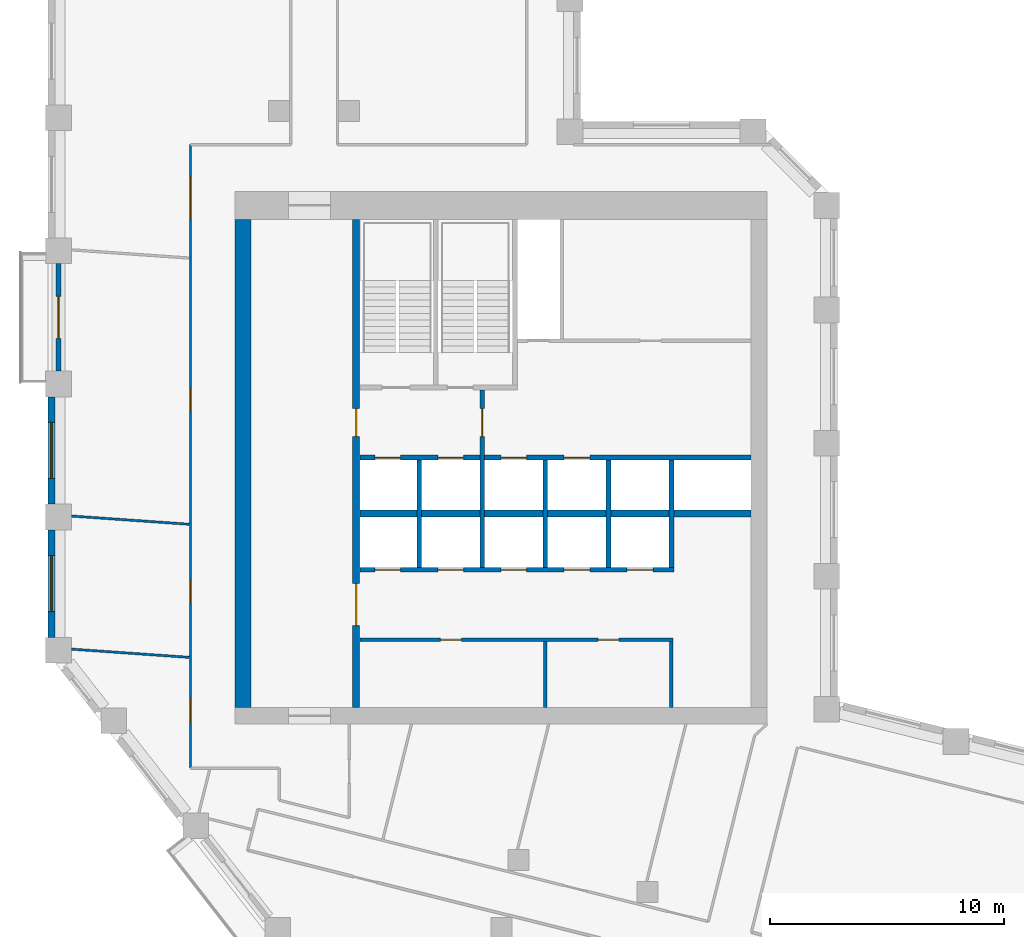
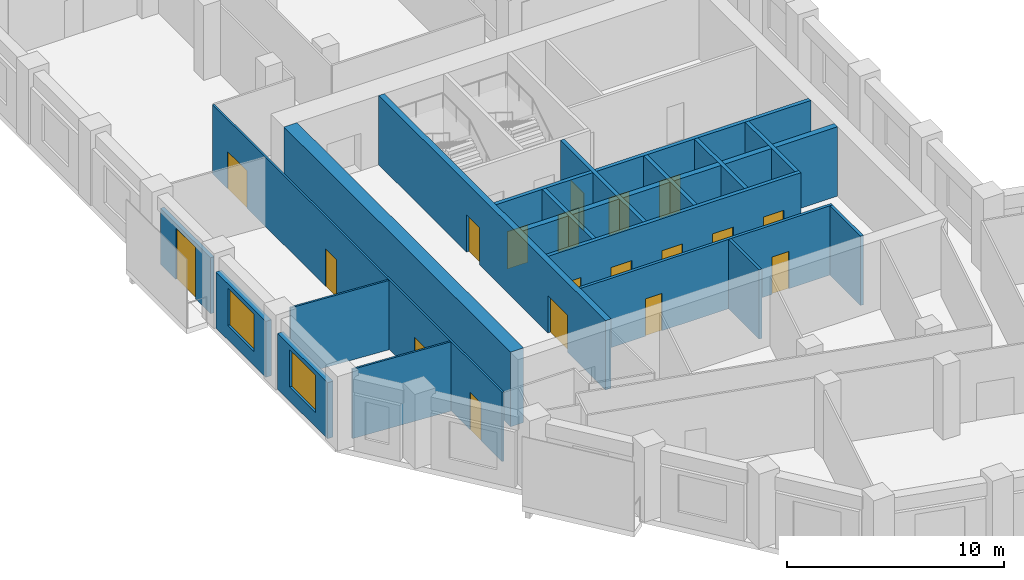
# One storey, part 5 of 10: 19 doors, 19 walls, 2 windows, 21 openings.
"""IFC4 building model written with IfcOpenShell, lengths in metres."""

from ifc_helpers import new_model, si_unit, direction, frame, frame_2d, origin, place, context, subcontext, project, spatial, rectangle, extrude, material, layer, layer_set, type_object, element, fill, save


model = new_model("IFC4")

# Units and contexts
model_context = context("Model", 3, precision=1e-05, world=origin(), true_north=direction((0.0, 1.0)))
body_context = subcontext(model_context, "Body", "Model", "MODEL_VIEW")
ifc_project = project(units=[si_unit("LENGTHUNIT", "METRE"), si_unit("AREAUNIT", "SQUARE_METRE"), si_unit("VOLUMEUNIT", "CUBIC_METRE"), si_unit("PLANEANGLEUNIT", "RADIAN"), si_unit("MASSUNIT", "GRAM", prefix="KILO")], contexts=[model_context])

# Site, building, storey
site_placement = place(None, origin())
site = spatial("IfcSite", under=ifc_project, at=site_placement, CompositionType="ELEMENT")
building_placement = place(site_placement, origin())
building = spatial("IfcBuilding", under=site, at=building_placement, Name="Meshkara Civic Tower", CompositionType="ELEMENT")
storey_placement = place(building_placement, frame((0.0, 0.0, 271.800048828125)))
storey = spatial("IfcBuildingStorey", under=building, at=storey_placement, Name="L62", CompositionType="ELEMENT", Elevation=271.800048828125)

# Wall, openings, doors
ifc_material_1 = material(Name="Blockwork", Category="masonry")
ifc_layer_1 = layer(ifc_material_1, 0.14990234375)
ifc_layer_set_1 = layer_set([ifc_layer_1], Name="Core partition 150")
wall_type_1 = type_object("IfcWallType", Name="Core partition 150", PredefinedType="PARTITIONING", material=ifc_layer_set_1)
wall_1_placement = place(storey_placement, frame((13.35009765625, 17.699951171875, 0.0), z_axis=(0.0, 0.0, 1.0), x_axis=(1.0, 0.0, 0.0)))
wall_1 = element("IfcWall", 1, at=wall_1_placement, inside=storey, type_object=wall_type_1, Name="L62-C005", PredefinedType="PARTITIONING", context=body_context, shape_type="SweptSolid", body=[
    extrude(rectangle(XDim=13.4248046875, YDim=0.14990234375, at=frame_2d((6.71240234375, 0.0))), origin(), (0.0, 0.0, 1.0), 3.89990234375),
])
opening_1_placement = place(wall_1_placement, frame((3.449951171875, 0.0, 0.0)))
opening_1 = element("IfcOpeningElement", 2, at=opening_1_placement, cuts=wall_1, Name="Opening L62-K010", PredefinedType="OPENING", context=body_context, shape_type="SweptSolid", body=[
    extrude(rectangle(XDim=0.89990234375, YDim=2.10009765625, at=frame_2d((0.449951171875, 1.050048828125))), frame((0.0, 0.0849609375, 0.0), z_axis=(0.0, -1.0, 0.0), x_axis=(1.0, 0.0, 0.0)), (0.0, 0.0, 1.0), 0.169921875),
])
opening_2_placement = place(wall_1_placement, frame((10.199951171875, 0.0, 0.0)))
opening_2 = element("IfcOpeningElement", 3, at=opening_2_placement, cuts=wall_1, Name="Opening L62-K011", PredefinedType="OPENING", context=body_context, shape_type="SweptSolid", body=[
    extrude(rectangle(XDim=0.89990234375, YDim=2.10009765625, at=frame_2d((0.449951171875, 1.050048828125))), frame((0.0, 0.0849609375, 0.0), z_axis=(0.0, -1.0, 0.0), x_axis=(1.0, 0.0, 0.0)), (0.0, 0.0, 1.0), 0.169921875),
])
ifc_material_2 = material(Name="Timber door leaf in steel frame", Category="steel")
door_type_1 = type_object("IfcDoorType", Name="Core room door 900", OperationType="SINGLE_SWING_LEFT", PredefinedType="DOOR", material=ifc_material_2)
door_1_placement = place(opening_1_placement, origin())
door_1 = element("IfcDoor", 4, at=door_1_placement, inside=storey, type_object=door_type_1, Name="L62-K010", OperationType="SINGLE_SWING_LEFT", OverallHeight=2.10009765625, OverallWidth=0.89990234375, PredefinedType="DOOR", context=body_context, shape_type="SweptSolid", body=[
    extrude(rectangle(XDim=0.89990234375, YDim=2.10009765625, at=frame_2d((0.449951171875, 1.050048828125))), frame((0.0, 0.02490234375, 0.0), z_axis=(0.0, -1.0, 0.0), x_axis=(1.0, 0.0, 0.0)), (0.0, 0.0, 1.0), 0.050048828125),
])
fill(opening_1, door_1)
door_2_placement = place(opening_2_placement, origin())
door_2 = element("IfcDoor", 5, at=door_2_placement, inside=storey, type_object=door_type_1, Name="L62-K011", OperationType="SINGLE_SWING_LEFT", OverallHeight=2.10009765625, OverallWidth=0.89990234375, PredefinedType="DOOR", context=body_context, shape_type="SweptSolid", body=[
    extrude(rectangle(XDim=0.89990234375, YDim=2.10009765625, at=frame_2d((0.449951171875, 1.050048828125))), frame((0.0, 0.02490234375, 0.0), z_axis=(0.0, -1.0, 0.0), x_axis=(1.0, 0.0, 0.0)), (0.0, 0.0, 1.0), 0.050048828125),
])
fill(opening_2, door_2)

# Walls
for number, where, z_axis, x_axis, name in (
    (6, (21.300048828125, 14.800048828125, 0.0), (0.0, 0.0, 1.0), (0.0, 1.0, 0.0), "L62-C016"),
    (7, (26.699951171875, 14.800048828125, 0.0), (0.0, 0.0, 1.0), (0.0, 1.0, 0.0), "L62-C020"),
):
    element("IfcWall", number, at=place(storey_placement, frame(where, z_axis=z_axis, x_axis=x_axis)), inside=storey, type_object=wall_type_1, Name=name, PredefinedType="PARTITIONING", context=body_context, shape_type="SweptSolid", body=[
        extrude(rectangle(XDim=2.824951171875, YDim=0.14990234375, at=frame_2d((1.41259765625, 0.0))), origin(), (0.0, 0.0, 1.0), 3.89990234375),
    ])
ifc_material_3 = material(Name="Concrete C60", Category="concrete")
ifc_layer_2 = layer(ifc_material_3, 0.699951171875)
ifc_layer_set_2 = layer_set([ifc_layer_2], Name="Core ring wall 700 C60")
wall_type_2 = type_object("IfcWallType", Name="Core ring wall 700 C60", PredefinedType="SHEAR", material=ifc_layer_set_2)
wall_2_placement = place(storey_placement, frame((8.35009765625, 14.800048828125, -0.300048828125), z_axis=(0.0, 0.0, 1.0), x_axis=(0.0, 1.0, 0.0)))
element("IfcWall", 8, at=wall_2_placement, inside=storey, type_object=wall_type_2, Name="L62-C003", PredefinedType="SHEAR", context=body_context, shape_type="SweptSolid", body=[
    extrude(rectangle(XDim=20.89990234375, YDim=0.699951171875, at=frame_2d((10.449951171875, 0.0))), origin(), (0.0, 0.0, 1.0), 4.199951171875),
])
ifc_material_4 = material(Name="Concrete C60", Category="concrete")
ifc_layer_3 = layer(ifc_material_4, 0.300048828125)
ifc_layer_set_3 = layer_set([ifc_layer_3], Name="Core shear wall 300 C60")
wall_type_3 = type_object("IfcWallType", Name="Core shear wall 300 C60", PredefinedType="SHEAR", material=ifc_layer_set_3)
wall_3_placement = place(storey_placement, frame((13.35009765625, 23.10009765625, 0.0), z_axis=(0.0, 0.0, 1.0), x_axis=(1.0, 0.0, 0.0)))
element("IfcWall", 9, at=wall_3_placement, inside=storey, type_object=wall_type_3, Name="L62-C007", PredefinedType="SHEAR", context=body_context, shape_type="SweptSolid", body=[
    extrude(rectangle(XDim=16.75, YDim=0.300048828125, at=frame_2d((8.375, 0.0))), origin(), (0.0, 0.0, 1.0), 3.89990234375),
])

# Wall, openings, doors
wall_4_placement = place(storey_placement, frame((13.199951171875, 14.800048828125, 0.0), z_axis=(0.0, 0.0, 1.0), x_axis=(0.0, 1.0, 0.0)))
wall_4 = element("IfcWall", 10, at=wall_4_placement, inside=storey, type_object=wall_type_3, Name="L62-C011", PredefinedType="SHEAR", context=body_context, shape_type="SweptSolid", body=[
    extrude(rectangle(XDim=20.89990234375, YDim=0.300048828125, at=frame_2d((10.449951171875, 0.0))), origin(), (0.0, 0.0, 1.0), 3.89990234375),
])
opening_3_placement = place(wall_4_placement, frame((3.5, 0.0, 0.0)))
opening_3 = element("IfcOpeningElement", 11, at=opening_3_placement, cuts=wall_4, Name="Opening L62-K016", PredefinedType="OPENING", context=body_context, shape_type="SweptSolid", body=[
    extrude(rectangle(XDim=1.800048828125, YDim=2.10009765625, at=frame_2d((0.89990234375, 1.050048828125))), frame((0.0, 0.159912109375, 0.0), z_axis=(0.0, -1.0, 0.0), x_axis=(1.0, 0.0, 0.0)), (0.0, 0.0, 1.0), 0.320068359375),
])
opening_4_placement = place(wall_4_placement, frame((11.60009765625, 0.0, 0.0)))
opening_4 = element("IfcOpeningElement", 12, at=opening_4_placement, cuts=wall_4, Name="Opening L62-K017", PredefinedType="OPENING", context=body_context, shape_type="SweptSolid", body=[
    extrude(rectangle(XDim=1.199951171875, YDim=2.10009765625, at=frame_2d((0.60009765625, 1.050048828125))), frame((0.0, 0.159912109375, 0.0), z_axis=(0.0, -1.0, 0.0), x_axis=(1.0, 0.0, 0.0)), (0.0, 0.0, 1.0), 0.320068359375),
])
ifc_material_5 = material(Name="Fire-rated door leaf in steel frame", Category="steel")
door_type_2 = type_object("IfcDoorType", Name="Core double door 1800 EI 60", OperationType="DOUBLE_DOOR_SINGLE_SWING", PredefinedType="DOOR", material=ifc_material_5)
door_3_placement = place(opening_3_placement, origin())
door_3 = element("IfcDoor", 13, at=door_3_placement, inside=storey, type_object=door_type_2, Name="L62-K016", OperationType="DOUBLE_DOOR_SINGLE_SWING", OverallHeight=2.10009765625, OverallWidth=1.800048828125, PredefinedType="DOOR", context=body_context, shape_type="SweptSolid", body=[
    extrude(rectangle(XDim=1.800048828125, YDim=2.10009765625, at=frame_2d((0.89990234375, 1.050048828125))), frame((0.0, 0.02490234375, 0.0), z_axis=(0.0, -1.0, 0.0), x_axis=(1.0, 0.0, 0.0)), (0.0, 0.0, 1.0), 0.050048828125),
])
fill(opening_3, door_3)
ifc_material_6 = material(Name="Fire-rated door leaf in steel frame", Category="steel")
door_type_3 = type_object("IfcDoorType", Name="Fire-fighting lobby door 1200 EI 120", OperationType="SINGLE_SWING_LEFT", PredefinedType="DOOR", material=ifc_material_6)
door_4_placement = place(opening_4_placement, origin())
door_4 = element("IfcDoor", 14, at=door_4_placement, inside=storey, type_object=door_type_3, Name="L62-K017", OperationType="SINGLE_SWING_LEFT", OverallHeight=2.10009765625, OverallWidth=1.199951171875, PredefinedType="DOOR", context=body_context, shape_type="SweptSolid", body=[
    extrude(rectangle(XDim=1.199951171875, YDim=2.10009765625, at=frame_2d((0.60009765625, 1.050048828125))), frame((0.0, 0.02490234375, 0.0), z_axis=(0.0, -1.0, 0.0), x_axis=(1.0, 0.0, 0.0)), (0.0, 0.0, 1.0), 0.050048828125),
])
fill(opening_4, door_4)

ifc_material_7 = material(Name="Corridor wall 100")
ifc_layer_4 = layer(ifc_material_7, 0.10009765625)
ifc_layer_set_4 = layer_set([ifc_layer_4], Name="Corridor wall 100")
wall_type_4 = type_object("IfcWallType", Name="Corridor wall 100", PredefinedType="PARTITIONING", material=ifc_layer_set_4)
wall_5_placement = place(storey_placement, frame((6.10009765625, 38.89990234375, 0.0), z_axis=(0.0, 0.0, 1.0), x_axis=(0.0, -1.0, 0.0)))
wall_5 = element("IfcWall", 15, at=wall_5_placement, inside=storey, type_object=wall_type_4, Name="L62-W005", PredefinedType="PARTITIONING", context=body_context, shape_type="SweptSolid", body=[
    extrude(rectangle(XDim=26.699951171875, YDim=0.10009765625, at=frame_2d((13.35009765625, 0.0))), origin(), (0.0, 0.0, 1.0), 3.89990234375),
])
opening_5_placement = place(wall_5_placement, frame((23.736083984375, 0.0, 0.0)))
opening_5 = element("IfcOpeningElement", 16, at=opening_5_placement, cuts=wall_5, Name="Opening L62-D016", PredefinedType="OPENING", context=body_context, shape_type="SweptSolid", body=[
    extrude(rectangle(XDim=1.0, YDim=2.10009765625, at=frame_2d((0.5, 1.050048828125))), frame((0.0, 0.06005859375, 0.0), z_axis=(0.0, -1.0, 0.0), x_axis=(1.0, 0.0, 0.0)), (0.0, 0.0, 1.0), 0.1201171875),
])
opening_6_placement = place(wall_5_placement, frame((18.635986328125, 0.0, 0.0)))
opening_6 = element("IfcOpeningElement", 17, at=opening_6_placement, cuts=wall_5, Name="Opening L62-D018", PredefinedType="OPENING", context=body_context, shape_type="SweptSolid", body=[
    extrude(rectangle(XDim=1.0, YDim=2.10009765625, at=frame_2d((0.5, 1.050048828125))), frame((0.0, 0.06005859375, 0.0), z_axis=(0.0, -1.0, 0.0), x_axis=(1.0, 0.0, 0.0)), (0.0, 0.0, 1.0), 0.1201171875),
])
opening_7_placement = place(wall_5_placement, frame((10.43603515625, 0.0, 0.0)))
opening_7 = element("IfcOpeningElement", 18, at=opening_7_placement, cuts=wall_5, Name="Opening L62-D019", PredefinedType="OPENING", context=body_context, shape_type="SweptSolid", body=[
    extrude(rectangle(XDim=1.0, YDim=2.10009765625, at=frame_2d((0.5, 1.050048828125))), frame((0.0, 0.06005859375, 0.0), z_axis=(0.0, -1.0, 0.0), x_axis=(1.0, 0.0, 0.0)), (0.0, 0.0, 1.0), 0.1201171875),
])
opening_8_placement = place(wall_5_placement, frame((1.3798828125, 0.0, 0.0)))
opening_8 = element("IfcOpeningElement", 19, at=opening_8_placement, cuts=wall_5, Name="Opening L62-D020", PredefinedType="OPENING", context=body_context, shape_type="SweptSolid", body=[
    extrude(rectangle(XDim=1.800048828125, YDim=2.10009765625, at=frame_2d((0.89990234375, 1.050048828125))), frame((0.0, 0.06005859375, 0.0), z_axis=(0.0, -1.0, 0.0), x_axis=(1.0, 0.0, 0.0)), (0.0, 0.0, 1.0), 0.1201171875),
])
ifc_material_8 = material(Name="Door 1000 x 2100")
door_type_4 = type_object("IfcDoorType", Name="Door 1000 x 2100", OperationType="SINGLE_SWING_LEFT", PredefinedType="DOOR", material=ifc_material_8)
door_5_placement = place(opening_5_placement, origin())
door_5 = element("IfcDoor", 20, at=door_5_placement, inside=storey, type_object=door_type_4, Name="L62-D016", OperationType="SINGLE_SWING_RIGHT", OverallHeight=2.10009765625, OverallWidth=1.0, PredefinedType="DOOR", context=body_context, shape_type="SweptSolid", body=[
    extrude(rectangle(XDim=1.0, YDim=2.10009765625, at=frame_2d((0.5, 1.050048828125))), frame((0.0, 0.02490234375, 0.0), z_axis=(0.0, -1.0, 0.0), x_axis=(1.0, 0.0, 0.0)), (0.0, 0.0, 1.0), 0.050048828125),
])
fill(opening_5, door_5)
door_6_placement = place(opening_6_placement, origin())
door_6 = element("IfcDoor", 21, at=door_6_placement, inside=storey, type_object=door_type_4, Name="L62-D018", OperationType="SINGLE_SWING_LEFT", OverallHeight=2.10009765625, OverallWidth=1.0, PredefinedType="DOOR", context=body_context, shape_type="SweptSolid", body=[
    extrude(rectangle(XDim=1.0, YDim=2.10009765625, at=frame_2d((0.5, 1.050048828125))), frame((0.0, 0.02490234375, 0.0), z_axis=(0.0, -1.0, 0.0), x_axis=(1.0, 0.0, 0.0)), (0.0, 0.0, 1.0), 0.050048828125),
])
fill(opening_6, door_6)
door_7_placement = place(opening_7_placement, origin())
door_7 = element("IfcDoor", 22, at=door_7_placement, inside=storey, type_object=door_type_4, Name="L62-D019", OperationType="SINGLE_SWING_LEFT", OverallHeight=2.10009765625, OverallWidth=1.0, PredefinedType="DOOR", context=body_context, shape_type="SweptSolid", body=[
    extrude(rectangle(XDim=1.0, YDim=2.10009765625, at=frame_2d((0.5, 1.050048828125))), frame((0.0, 0.02490234375, 0.0), z_axis=(0.0, -1.0, 0.0), x_axis=(1.0, 0.0, 0.0)), (0.0, 0.0, 1.0), 0.050048828125),
])
fill(opening_7, door_7)
ifc_material_9 = material(Name="Door pair 1800 x 2100")
door_type_5 = type_object("IfcDoorType", Name="Door pair 1800 x 2100", OperationType="SINGLE_SWING_LEFT", PredefinedType="DOOR", material=ifc_material_9)
door_8_placement = place(opening_8_placement, origin())
door_8 = element("IfcDoor", 23, at=door_8_placement, inside=storey, type_object=door_type_5, Name="L62-D020", OperationType="DOUBLE_DOOR_SINGLE_SWING", OverallHeight=2.10009765625, OverallWidth=1.800048828125, PredefinedType="DOOR", context=body_context, shape_type="SweptSolid", body=[
    extrude(rectangle(XDim=1.800048828125, YDim=2.10009765625, at=frame_2d((0.89990234375, 1.050048828125))), frame((0.0, 0.02490234375, 0.0), z_axis=(0.0, -1.0, 0.0), x_axis=(1.0, 0.0, 0.0)), (0.0, 0.0, 1.0), 0.050048828125),
])
fill(opening_8, door_8)

# Wall, opening, window
ifc_material_10 = material(Name="Insulated infill panel with bronze anodised aluminium cladding", Category="aluminium")
ifc_layer_5 = layer(ifc_material_10, 0.300048828125)
ifc_layer_set_5 = layer_set([ifc_layer_5], Name="EXTERNAL INFILL WALL 300")
wall_type_5 = type_object("IfcWallType", Name="EXTERNAL INFILL WALL 300", PredefinedType="SOLIDWALL", material=ifc_layer_set_5)
wall_6_placement = place(storey_placement, frame((0.14990234375, 28.10498046875, 0.0), z_axis=(0.0, 0.0, 1.0), x_axis=(0.0, -1.0, 0.0)))
wall_6 = element("IfcWall", 24, at=wall_6_placement, inside=storey, type_object=wall_type_5, Name="External wall", PredefinedType="SOLIDWALL", context=body_context, shape_type="SweptSolid", body=[
    extrude(rectangle(XDim=4.60009765625, YDim=0.300048828125, at=frame_2d((2.300048828125, 0.0))), origin(), (0.0, 0.0, 1.0), 3.14990234375),
])
opening_9_placement = place(wall_6_placement, frame((1.10009765625, 0.0, 0.800048828125)))
opening_9 = element("IfcOpeningElement", 25, at=opening_9_placement, cuts=wall_6, Name="Opening W7", PredefinedType="OPENING", context=body_context, shape_type="SweptSolid", body=[
    extrude(rectangle(XDim=2.39990234375, YDim=2.10009765625, at=frame_2d((1.199951171875, 1.050048828125))), frame((0.0, 0.159912109375, 0.0), z_axis=(0.0, -1.0, 0.0), x_axis=(1.0, 0.0, 0.0)), (0.0, 0.0, 1.0), 0.320068359375),
])
ifc_material_11 = material(Name="Tinted double glazing", Category="glass")
window_type = type_object("IfcWindowType", Name="WINDOW 2400x2100", PartitioningType="DOUBLE_PANEL_VERTICAL", PredefinedType="WINDOW", material=ifc_material_11)
window_1_placement = place(opening_9_placement, origin())
window_1 = element("IfcWindow", 26, at=window_1_placement, inside=storey, type_object=window_type, Name="Window", OverallHeight=2.10009765625, OverallWidth=2.39990234375, PartitioningType="DOUBLE_PANEL_VERTICAL", PredefinedType="WINDOW", context=body_context, shape_type="SweptSolid", body=[
    extrude(rectangle(XDim=2.39990234375, YDim=2.10009765625, at=frame_2d((1.199951171875, 1.050048828125))), frame((0.0, 0.030029296875, 0.0), z_axis=(0.0, -1.0, 0.0), x_axis=(1.0, 0.0, 0.0)), (0.0, 0.0, 1.0), 0.06005859375),
])
fill(opening_9, window_1)

wall_7_placement = place(storey_placement, frame((0.14990234375, 22.405029296875, 0.0), z_axis=(0.0, 0.0, 1.0), x_axis=(0.0, -1.0, 0.0)))
wall_7 = element("IfcWall", 27, at=wall_7_placement, inside=storey, type_object=wall_type_5, Name="External wall", PredefinedType="SOLIDWALL", context=body_context, shape_type="SweptSolid", body=[
    extrude(rectangle(XDim=4.60009765625, YDim=0.300048828125, at=frame_2d((2.300048828125, 0.0))), origin(), (0.0, 0.0, 1.0), 3.14990234375),
])
opening_10_placement = place(wall_7_placement, frame((1.10009765625, 0.0, 0.800048828125)))
opening_10 = element("IfcOpeningElement", 28, at=opening_10_placement, cuts=wall_7, Name="Opening W7", PredefinedType="OPENING", context=body_context, shape_type="SweptSolid", body=[
    extrude(rectangle(XDim=2.39990234375, YDim=2.10009765625, at=frame_2d((1.199951171875, 1.050048828125))), frame((0.0, 0.159912109375, 0.0), z_axis=(0.0, -1.0, 0.0), x_axis=(1.0, 0.0, 0.0)), (0.0, 0.0, 1.0), 0.320068359375),
])
window_2_placement = place(opening_10_placement, origin())
window_2 = element("IfcWindow", 29, at=window_2_placement, inside=storey, type_object=window_type, Name="Window", OverallHeight=2.10009765625, OverallWidth=2.39990234375, PartitioningType="DOUBLE_PANEL_VERTICAL", PredefinedType="WINDOW", context=body_context, shape_type="SweptSolid", body=[
    extrude(rectangle(XDim=2.39990234375, YDim=2.10009765625, at=frame_2d((1.199951171875, 1.050048828125))), frame((0.0, 0.030029296875, 0.0), z_axis=(0.0, -1.0, 0.0), x_axis=(1.0, 0.0, 0.0)), (0.0, 0.0, 1.0), 0.06005859375),
])
fill(opening_10, window_2)

# Wall, opening, door
ifc_material_12 = material(Name="Insulated infill panel with bronze anodised aluminium cladding", Category="aluminium")
ifc_layer_6 = layer(ifc_material_12, 0.199951171875)
ifc_layer_set_6 = layer_set([ifc_layer_6], Name="LOGGIA BACK WALL 200")
wall_type_6 = type_object("IfcWallType", Name="LOGGIA BACK WALL 200", PredefinedType="SOLIDWALL", material=ifc_layer_set_6)
wall_8_placement = place(storey_placement, frame((0.449951171875, 33.804931640625, 0.0), z_axis=(0.0, 0.0, 1.0), x_axis=(0.0, -1.0, 0.0)))
wall_8 = element("IfcWall", 30, at=wall_8_placement, inside=storey, type_object=wall_type_6, Name="Loggia wall", PredefinedType="SOLIDWALL", context=body_context, shape_type="SweptSolid", body=[
    extrude(rectangle(XDim=4.598876953125, YDim=0.199951171875, at=frame_2d((2.29931640625, 0.0))), origin(), (0.0, 0.0, 1.0), 3.14990234375),
])
opening_11_placement = place(wall_8_placement, frame((1.39990234375, 0.0, 0.0)))
opening_11 = element("IfcOpeningElement", 31, at=opening_11_placement, cuts=wall_8, Name="Opening L62-L001", PredefinedType="OPENING", context=body_context, shape_type="SweptSolid", body=[
    extrude(rectangle(XDim=1.800048828125, YDim=2.89990234375, at=frame_2d((0.89990234375, 1.449951171875))), frame((0.0, 0.10986328125, 0.0), z_axis=(0.0, -1.0, 0.0), x_axis=(1.0, 0.0, 0.0)), (0.0, 0.0, 1.0), 0.219970703125),
])
ifc_material_13 = material(Name="Tinted double glazing", Category="glass")
door_type_6 = type_object("IfcDoorType", Name="LOGGIA DOOR 1800x2900", OperationType="DOUBLE_DOOR_SINGLE_SWING", PredefinedType="DOOR", material=ifc_material_13)
door_9_placement = place(opening_11_placement, origin())
door_9 = element("IfcDoor", 32, at=door_9_placement, inside=storey, type_object=door_type_6, Name="L62-L001", OperationType="DOUBLE_DOOR_SINGLE_SWING", OverallHeight=2.89990234375, OverallWidth=1.800048828125, PredefinedType="DOOR", context=body_context, shape_type="SweptSolid", body=[
    extrude(rectangle(XDim=1.800048828125, YDim=2.89990234375, at=frame_2d((0.89990234375, 1.449951171875))), frame((0.0, 0.02490234375, 0.0), z_axis=(0.0, -1.0, 0.0), x_axis=(1.0, 0.0, 0.0)), (0.0, 0.0, 1.0), 0.050048828125),
])
fill(opening_11, door_9)

# Walls
ifc_material_14 = material(Name="Partition 100")
ifc_layer_7 = layer(ifc_material_14, 0.10009765625)
ifc_layer_set_7 = layer_set([ifc_layer_7], Name="Partition 100")
wall_type_7 = type_object("IfcWallType", Name="Partition 100", PredefinedType="PARTITIONING", material=ifc_layer_set_7)
for number, where, z_axis, x_axis, name in (
    (33, (6.047119140625, 16.944091796875, 0.0), (0.0, 0.0, 1.0), (-0.9975626968, 0.06977582642, 0.0), "L62-W036"),
    (34, (6.047119140625, 22.64404296875, 0.0), (0.0, 0.0, 1.0), (-0.9975626968, 0.06977582642, 0.0), "L62-W037"),
):
    element("IfcWall", number, at=place(storey_placement, frame(where, z_axis=z_axis, x_axis=x_axis)), inside=storey, type_object=wall_type_7, Name=name, PredefinedType="PARTITIONING", context=body_context, shape_type="SweptSolid", body=[
        extrude(rectangle(XDim=5.0595703125, YDim=0.10009765625, at=frame_2d((2.52978515625, 0.0))), origin(), (0.0, 0.0, 1.0), 3.89990234375),
    ])

# Wall, openings, doors
ifc_material_15 = material(Name="Concrete C40/50", Category="concrete")
ifc_layer_8 = layer(ifc_material_15, 0.199951171875)
ifc_layer_set_8 = layer_set([ifc_layer_8], Name="Shaft wall 200 C40/50")
wall_type_8 = type_object("IfcWallType", Name="Shaft wall 200 C40/50", PredefinedType="SOLIDWALL", material=ifc_layer_set_8)
wall_9_placement = place(storey_placement, frame((13.35009765625, 20.699951171875, 0.0), z_axis=(0.0, 0.0, 1.0), x_axis=(1.0, 0.0, 0.0)))
wall_9 = element("IfcWall", 35, at=wall_9_placement, inside=storey, type_object=wall_type_8, Name="L62-C006", PredefinedType="SOLIDWALL", context=body_context, shape_type="SweptSolid", body=[
    extrude(rectangle(XDim=13.449951171875, YDim=0.199951171875, at=frame_2d((6.72509765625, 0.0))), origin(), (0.0, 0.0, 1.0), 3.89990234375),
])
opening_12_placement = place(wall_9_placement, frame((0.64990234375, 0.0, 0.0)))
opening_12 = element("IfcOpeningElement", 36, at=opening_12_placement, cuts=wall_9, Name="Opening L62-K001", PredefinedType="OPENING", context=body_context, shape_type="SweptSolid", body=[
    extrude(rectangle(XDim=1.10009765625, YDim=2.10009765625, at=frame_2d((0.550048828125, 1.050048828125))), frame((0.0, 0.10986328125, 0.0), z_axis=(0.0, -1.0, 0.0), x_axis=(1.0, 0.0, 0.0)), (0.0, 0.0, 1.0), 0.219970703125),
])
opening_13_placement = place(wall_9_placement, frame((3.35009765625, 0.0, 0.0)))
opening_13 = element("IfcOpeningElement", 37, at=opening_13_placement, cuts=wall_9, Name="Opening L62-K002", PredefinedType="OPENING", context=body_context, shape_type="SweptSolid", body=[
    extrude(rectangle(XDim=1.10009765625, YDim=2.10009765625, at=frame_2d((0.550048828125, 1.050048828125))), frame((0.0, 0.10986328125, 0.0), z_axis=(0.0, -1.0, 0.0), x_axis=(1.0, 0.0, 0.0)), (0.0, 0.0, 1.0), 0.219970703125),
])
opening_14_placement = place(wall_9_placement, frame((6.050048828125, 0.0, 0.0)))
opening_14 = element("IfcOpeningElement", 38, at=opening_14_placement, cuts=wall_9, Name="Opening L62-K003", PredefinedType="OPENING", context=body_context, shape_type="SweptSolid", body=[
    extrude(rectangle(XDim=1.10009765625, YDim=2.10009765625, at=frame_2d((0.550048828125, 1.050048828125))), frame((0.0, 0.10986328125, 0.0), z_axis=(0.0, -1.0, 0.0), x_axis=(1.0, 0.0, 0.0)), (0.0, 0.0, 1.0), 0.219970703125),
])
opening_15_placement = place(wall_9_placement, frame((8.75, 0.0, 0.0)))
opening_15 = element("IfcOpeningElement", 39, at=opening_15_placement, cuts=wall_9, Name="Opening L62-K004", PredefinedType="OPENING", context=body_context, shape_type="SweptSolid", body=[
    extrude(rectangle(XDim=1.10009765625, YDim=2.10009765625, at=frame_2d((0.550048828125, 1.050048828125))), frame((0.0, 0.10986328125, 0.0), z_axis=(0.0, -1.0, 0.0), x_axis=(1.0, 0.0, 0.0)), (0.0, 0.0, 1.0), 0.219970703125),
])
opening_16_placement = place(wall_9_placement, frame((11.449951171875, 0.0, 0.0)))
opening_16 = element("IfcOpeningElement", 40, at=opening_16_placement, cuts=wall_9, Name="Opening L62-K005", PredefinedType="OPENING", context=body_context, shape_type="SweptSolid", body=[
    extrude(rectangle(XDim=1.10009765625, YDim=2.10009765625, at=frame_2d((0.550048828125, 1.050048828125))), frame((0.0, 0.10986328125, 0.0), z_axis=(0.0, -1.0, 0.0), x_axis=(1.0, 0.0, 0.0)), (0.0, 0.0, 1.0), 0.219970703125),
])
ifc_material_16 = material(Name="Stainless steel landing door", Category="steel")
door_type_7 = type_object("IfcDoorType", Name="Lift landing door 1100", OperationType="SLIDING_TO_LEFT", PredefinedType="DOOR", material=ifc_material_16)
door_10_placement = place(opening_12_placement, origin())
door_10 = element("IfcDoor", 41, at=door_10_placement, inside=storey, type_object=door_type_7, Name="L62-K001", OperationType="SLIDING_TO_LEFT", OverallHeight=2.10009765625, OverallWidth=1.10009765625, PredefinedType="DOOR", context=body_context, shape_type="SweptSolid", body=[
    extrude(rectangle(XDim=1.10009765625, YDim=2.10009765625, at=frame_2d((0.550048828125, 1.050048828125))), frame((0.0, 0.02490234375, 0.0), z_axis=(0.0, -1.0, 0.0), x_axis=(1.0, 0.0, 0.0)), (0.0, 0.0, 1.0), 0.050048828125),
])
fill(opening_12, door_10)
door_11_placement = place(opening_13_placement, origin())
door_11 = element("IfcDoor", 42, at=door_11_placement, inside=storey, type_object=door_type_7, Name="L62-K002", OperationType="SLIDING_TO_LEFT", OverallHeight=2.10009765625, OverallWidth=1.10009765625, PredefinedType="DOOR", context=body_context, shape_type="SweptSolid", body=[
    extrude(rectangle(XDim=1.10009765625, YDim=2.10009765625, at=frame_2d((0.550048828125, 1.050048828125))), frame((0.0, 0.02490234375, 0.0), z_axis=(0.0, -1.0, 0.0), x_axis=(1.0, 0.0, 0.0)), (0.0, 0.0, 1.0), 0.050048828125),
])
fill(opening_13, door_11)
door_12_placement = place(opening_14_placement, origin())
door_12 = element("IfcDoor", 43, at=door_12_placement, inside=storey, type_object=door_type_7, Name="L62-K003", OperationType="SLIDING_TO_LEFT", OverallHeight=2.10009765625, OverallWidth=1.10009765625, PredefinedType="DOOR", context=body_context, shape_type="SweptSolid", body=[
    extrude(rectangle(XDim=1.10009765625, YDim=2.10009765625, at=frame_2d((0.550048828125, 1.050048828125))), frame((0.0, 0.02490234375, 0.0), z_axis=(0.0, -1.0, 0.0), x_axis=(1.0, 0.0, 0.0)), (0.0, 0.0, 1.0), 0.050048828125),
])
fill(opening_14, door_12)
door_13_placement = place(opening_15_placement, origin())
door_13 = element("IfcDoor", 44, at=door_13_placement, inside=storey, type_object=door_type_7, Name="L62-K004", OperationType="SLIDING_TO_LEFT", OverallHeight=2.10009765625, OverallWidth=1.10009765625, PredefinedType="DOOR", context=body_context, shape_type="SweptSolid", body=[
    extrude(rectangle(XDim=1.10009765625, YDim=2.10009765625, at=frame_2d((0.550048828125, 1.050048828125))), frame((0.0, 0.02490234375, 0.0), z_axis=(0.0, -1.0, 0.0), x_axis=(1.0, 0.0, 0.0)), (0.0, 0.0, 1.0), 0.050048828125),
])
fill(opening_15, door_13)
door_14_placement = place(opening_16_placement, origin())
door_14 = element("IfcDoor", 45, at=door_14_placement, inside=storey, type_object=door_type_7, Name="L62-K005", OperationType="SLIDING_TO_LEFT", OverallHeight=2.10009765625, OverallWidth=1.10009765625, PredefinedType="DOOR", context=body_context, shape_type="SweptSolid", body=[
    extrude(rectangle(XDim=1.10009765625, YDim=2.10009765625, at=frame_2d((0.550048828125, 1.050048828125))), frame((0.0, 0.02490234375, 0.0), z_axis=(0.0, -1.0, 0.0), x_axis=(1.0, 0.0, 0.0)), (0.0, 0.0, 1.0), 0.050048828125),
])
fill(opening_16, door_14)

wall_10_placement = place(storey_placement, frame((13.35009765625, 25.5, 0.0), z_axis=(0.0, 0.0, 1.0), x_axis=(1.0, 0.0, 0.0)))
wall_10 = element("IfcWall", 46, at=wall_10_placement, inside=storey, type_object=wall_type_8, Name="L62-C008", PredefinedType="SOLIDWALL", context=body_context, shape_type="SweptSolid", body=[
    extrude(rectangle(XDim=16.75, YDim=0.199951171875, at=frame_2d((8.375, 0.0))), origin(), (0.0, 0.0, 1.0), 3.89990234375),
])
opening_17_placement = place(wall_10_placement, frame((0.64990234375, 0.0, 0.0)))
opening_17 = element("IfcOpeningElement", 47, at=opening_17_placement, cuts=wall_10, Name="Opening L62-K006", PredefinedType="OPENING", context=body_context, shape_type="SweptSolid", body=[
    extrude(rectangle(XDim=1.10009765625, YDim=2.10009765625, at=frame_2d((0.550048828125, 1.050048828125))), frame((0.0, 0.10986328125, 0.0), z_axis=(0.0, -1.0, 0.0), x_axis=(1.0, 0.0, 0.0)), (0.0, 0.0, 1.0), 0.219970703125),
])
opening_18_placement = place(wall_10_placement, frame((3.35009765625, 0.0, 0.0)))
opening_18 = element("IfcOpeningElement", 48, at=opening_18_placement, cuts=wall_10, Name="Opening L62-K007", PredefinedType="OPENING", context=body_context, shape_type="SweptSolid", body=[
    extrude(rectangle(XDim=1.10009765625, YDim=2.10009765625, at=frame_2d((0.550048828125, 1.050048828125))), frame((0.0, 0.10986328125, 0.0), z_axis=(0.0, -1.0, 0.0), x_axis=(1.0, 0.0, 0.0)), (0.0, 0.0, 1.0), 0.219970703125),
])
opening_19_placement = place(wall_10_placement, frame((6.050048828125, 0.0, 0.0)))
opening_19 = element("IfcOpeningElement", 49, at=opening_19_placement, cuts=wall_10, Name="Opening L62-K008", PredefinedType="OPENING", context=body_context, shape_type="SweptSolid", body=[
    extrude(rectangle(XDim=1.10009765625, YDim=2.10009765625, at=frame_2d((0.550048828125, 1.050048828125))), frame((0.0, 0.10986328125, 0.0), z_axis=(0.0, -1.0, 0.0), x_axis=(1.0, 0.0, 0.0)), (0.0, 0.0, 1.0), 0.219970703125),
])
opening_20_placement = place(wall_10_placement, frame((8.75, 0.0, 0.0)))
opening_20 = element("IfcOpeningElement", 50, at=opening_20_placement, cuts=wall_10, Name="Opening L62-K009", PredefinedType="OPENING", context=body_context, shape_type="SweptSolid", body=[
    extrude(rectangle(XDim=1.10009765625, YDim=2.10009765625, at=frame_2d((0.550048828125, 1.050048828125))), frame((0.0, 0.10986328125, 0.0), z_axis=(0.0, -1.0, 0.0), x_axis=(1.0, 0.0, 0.0)), (0.0, 0.0, 1.0), 0.219970703125),
])
door_15_placement = place(opening_17_placement, origin())
door_15 = element("IfcDoor", 51, at=door_15_placement, inside=storey, type_object=door_type_7, Name="L62-K006", OperationType="SLIDING_TO_LEFT", OverallHeight=2.10009765625, OverallWidth=1.10009765625, PredefinedType="DOOR", context=body_context, shape_type="SweptSolid", body=[
    extrude(rectangle(XDim=1.10009765625, YDim=2.10009765625, at=frame_2d((0.550048828125, 1.050048828125))), frame((0.0, 0.02490234375, 0.0), z_axis=(0.0, -1.0, 0.0), x_axis=(1.0, 0.0, 0.0)), (0.0, 0.0, 1.0), 0.050048828125),
])
fill(opening_17, door_15)
door_16_placement = place(opening_18_placement, origin())
door_16 = element("IfcDoor", 52, at=door_16_placement, inside=storey, type_object=door_type_7, Name="L62-K007", OperationType="SLIDING_TO_LEFT", OverallHeight=2.10009765625, OverallWidth=1.10009765625, PredefinedType="DOOR", context=body_context, shape_type="SweptSolid", body=[
    extrude(rectangle(XDim=1.10009765625, YDim=2.10009765625, at=frame_2d((0.550048828125, 1.050048828125))), frame((0.0, 0.02490234375, 0.0), z_axis=(0.0, -1.0, 0.0), x_axis=(1.0, 0.0, 0.0)), (0.0, 0.0, 1.0), 0.050048828125),
])
fill(opening_18, door_16)
door_17_placement = place(opening_19_placement, origin())
door_17 = element("IfcDoor", 53, at=door_17_placement, inside=storey, type_object=door_type_7, Name="L62-K008", OperationType="SLIDING_TO_LEFT", OverallHeight=2.10009765625, OverallWidth=1.10009765625, PredefinedType="DOOR", context=body_context, shape_type="SweptSolid", body=[
    extrude(rectangle(XDim=1.10009765625, YDim=2.10009765625, at=frame_2d((0.550048828125, 1.050048828125))), frame((0.0, 0.02490234375, 0.0), z_axis=(0.0, -1.0, 0.0), x_axis=(1.0, 0.0, 0.0)), (0.0, 0.0, 1.0), 0.050048828125),
])
fill(opening_19, door_17)
door_18_placement = place(opening_20_placement, origin())
door_18 = element("IfcDoor", 54, at=door_18_placement, inside=storey, type_object=door_type_7, Name="L62-K009", OperationType="SLIDING_TO_LEFT", OverallHeight=2.10009765625, OverallWidth=1.10009765625, PredefinedType="DOOR", context=body_context, shape_type="SweptSolid", body=[
    extrude(rectangle(XDim=1.10009765625, YDim=2.10009765625, at=frame_2d((0.550048828125, 1.050048828125))), frame((0.0, 0.02490234375, 0.0), z_axis=(0.0, -1.0, 0.0), x_axis=(1.0, 0.0, 0.0)), (0.0, 0.0, 1.0), 0.050048828125),
])
fill(opening_20, door_18)

# Wall
wall_11_placement = place(storey_placement, frame((15.89990234375, 20.800048828125, 0.0), z_axis=(0.0, 0.0, 1.0), x_axis=(0.0, 1.0, 0.0)))
element("IfcWall", 55, at=wall_11_placement, inside=storey, type_object=wall_type_8, Name="L62-C012", PredefinedType="SOLIDWALL", context=body_context, shape_type="SweptSolid", body=[
    extrude(rectangle(XDim=4.599853515625, YDim=0.199951171875, at=frame_2d((2.2998046875, 0.0))), origin(), (0.0, 0.0, 1.0), 3.89990234375),
])

# Wall, opening, door
wall_12_placement = place(storey_placement, frame((18.60009765625, 20.800048828125, 0.0), z_axis=(0.0, 0.0, 1.0), x_axis=(0.0, 1.0, 0.0)))
wall_12 = element("IfcWall", 56, at=wall_12_placement, inside=storey, type_object=wall_type_8, Name="L62-C014", PredefinedType="SOLIDWALL", context=body_context, shape_type="SweptSolid", body=[
    extrude(rectangle(XDim=7.599853515625, YDim=0.199951171875, at=frame_2d((3.7998046875, 0.0))), origin(), (0.0, 0.0, 1.0), 3.89990234375),
])
opening_21_placement = place(wall_12_placement, frame((5.60009765625, 0.0, 0.0)))
opening_21 = element("IfcOpeningElement", 57, at=opening_21_placement, cuts=wall_12, Name="Opening L62-K018", PredefinedType="OPENING", context=body_context, shape_type="SweptSolid", body=[
    extrude(rectangle(XDim=1.199951171875, YDim=2.10009765625, at=frame_2d((0.60009765625, 1.050048828125))), frame((0.0, 0.10986328125, 0.0), z_axis=(0.0, -1.0, 0.0), x_axis=(1.0, 0.0, 0.0)), (0.0, 0.0, 1.0), 0.219970703125),
])
door_19_placement = place(opening_21_placement, origin())
door_19 = element("IfcDoor", 58, at=door_19_placement, inside=storey, type_object=door_type_3, Name="L62-K018", OperationType="SINGLE_SWING_RIGHT", OverallHeight=2.10009765625, OverallWidth=1.199951171875, PredefinedType="DOOR", context=body_context, shape_type="SweptSolid", body=[
    extrude(rectangle(XDim=1.199951171875, YDim=2.10009765625, at=frame_2d((0.60009765625, 1.050048828125))), frame((0.0, 0.02490234375, 0.0), z_axis=(0.0, -1.0, 0.0), x_axis=(1.0, 0.0, 0.0)), (0.0, 0.0, 1.0), 0.050048828125),
])
fill(opening_21, door_19)

# Walls
for number, where, z_axis, x_axis, name in (
    (59, (21.300048828125, 20.800048828125, 0.0), (0.0, 0.0, 1.0), (0.0, 1.0, 0.0), "L62-C017"),
    (60, (24.0, 20.800048828125, 0.0), (0.0, 0.0, 1.0), (0.0, 1.0, 0.0), "L62-C019"),
    (61, (26.699951171875, 20.800048828125, 0.0), (0.0, 0.0, 1.0), (0.0, 1.0, 0.0), "L62-C021"),
):
    element("IfcWall", number, at=place(storey_placement, frame(where, z_axis=z_axis, x_axis=x_axis)), inside=storey, type_object=wall_type_8, Name=name, PredefinedType="SOLIDWALL", context=body_context, shape_type="SweptSolid", body=[
        extrude(rectangle(XDim=4.599853515625, YDim=0.199951171875, at=frame_2d((2.2998046875, 0.0))), origin(), (0.0, 0.0, 1.0), 3.89990234375),
    ])

save(model, "model.ifc")
